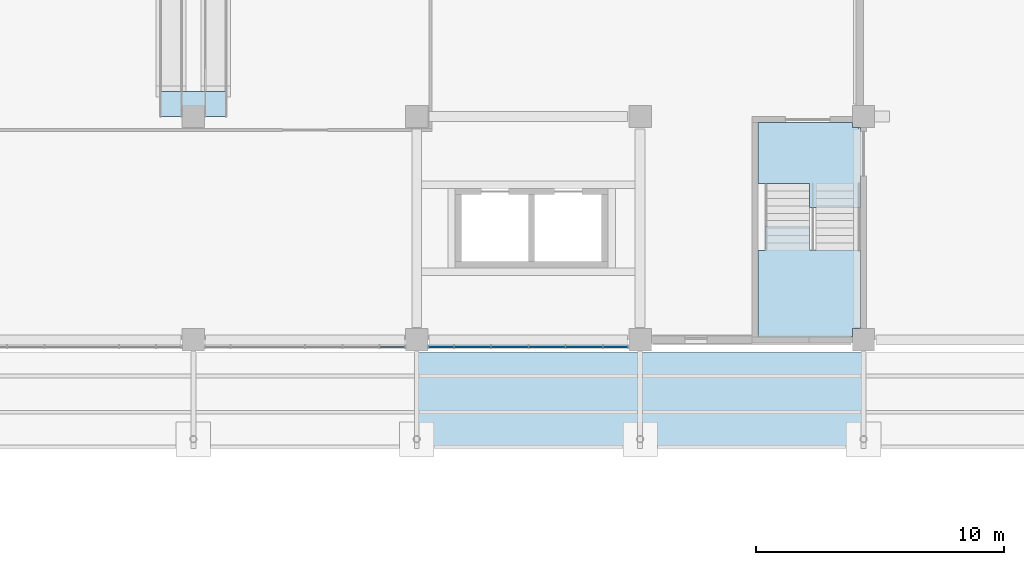
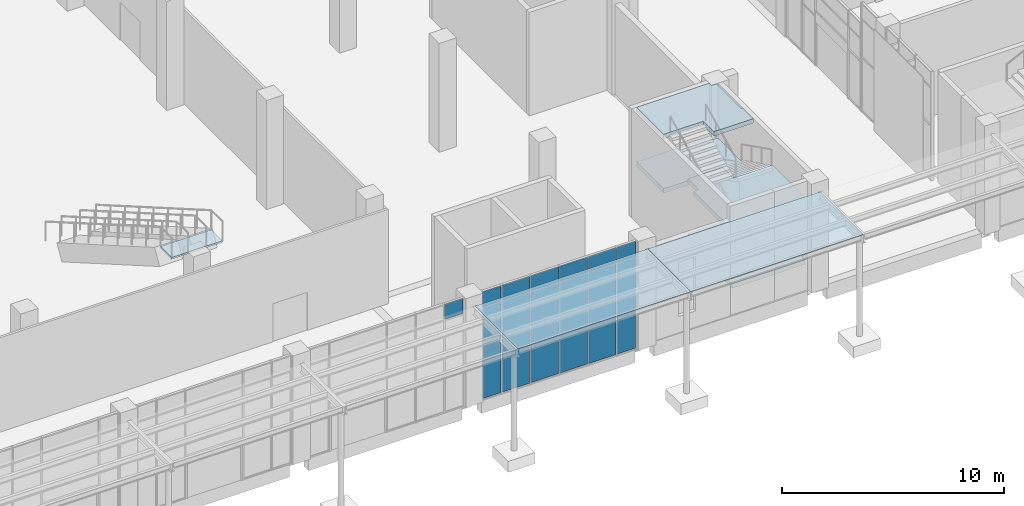
# One storey, part 38 of 86: 22 plates, 4 slabs, 3 elements without a shape of their own.
"""IFC4 building model written with IfcOpenShell, lengths in metres."""

from ifc_helpers import new_model, si_unit, direction, frame, origin, origin_2d, place, context, subcontext, project, spatial, polyline, rectangle, outline, extrude, material, layer, layer_set, type_object, element, aggregate, save


model = new_model("IFC4")

# Units and contexts
model_context = context("Model", 3, precision=1e-05, world=origin(), true_north=direction((0.0, 1.0)))
body_context = subcontext(model_context, "Body", "Model", "MODEL_VIEW")
ifc_project = project(units=[si_unit("LENGTHUNIT", "METRE"), si_unit("AREAUNIT", "SQUARE_METRE"), si_unit("VOLUMEUNIT", "CUBIC_METRE"), si_unit("PLANEANGLEUNIT", "RADIAN"), si_unit("MASSUNIT", "GRAM", prefix="KILO")], contexts=[model_context])

# Site, building, storey
site_placement = place(None, origin())
site = spatial("IfcSite", under=ifc_project, at=site_placement, CompositionType="ELEMENT")
building_placement = place(site_placement, origin())
building = spatial("IfcBuilding", under=site, at=building_placement, Name="Guidao Yard Department Store", CompositionType="ELEMENT")
storey_placement = place(building_placement, origin())
storey = spatial("IfcBuildingStorey", under=building, at=storey_placement, Name="L00", CompositionType="ELEMENT", Elevation=0.0)

# Plates
ifc_material_1 = material(Name="Laminated glass", Category="glass")
ifc_layer_1 = layer(ifc_material_1, 0.021484375)
ifc_layer_set_1 = layer_set([ifc_layer_1], Name="Canopy glass CG1 laminated 10+10")
plate_type_1 = type_object("IfcPlateType", Name="Canopy glass CG1 laminated 10+10", PredefinedType="SHEET", material=ifc_layer_set_1)
for number, where, z_axis, x_axis, name in (
    (1, (49.5, 42.56005859375, 5.449951171875), (0.0, 0.0, 1.0), (1.0, 0.0, 0.0), "Entrance canopy glazing 5.1"),
    (2, (58.5, 42.56005859375, 5.449951171875), (0.0, 0.0, 1.0), (1.0, 0.0, 0.0), "Entrance canopy glazing 6.1"),
):
    element("IfcPlate", number, at=place(storey_placement, frame(where, z_axis=z_axis, x_axis=x_axis)), inside=storey, type_object=plate_type_1, Name=name, PredefinedType="SHEET", context=body_context, shape_type="SweptSolid", body=[
        extrude(rectangle(XDim=8.989990234375, YDim=3.8798828125, at=origin_2d()), origin(), (0.0, 0.0, 1.0), 0.021484375),
    ])
ifc_material_2 = material(Name="Stainless steel 06Cr19Ni10", Category="steel")
ifc_layer_2 = layer(ifc_material_2, 0.10009765625)
ifc_layer_set_2 = layer_set([ifc_layer_2], Name="Escalator landing plate 100")
plate_type_2 = type_object("IfcPlateType", Name="Escalator landing plate 100", PredefinedType="SHEET", material=ifc_layer_set_2)
plate_1_placement = place(storey_placement, frame((36.0, 54.50390625, 5.89990234375), z_axis=(0.0, 0.0, 1.0), x_axis=(1.0, 0.0, 0.0)))
element("IfcPlate", 3, at=plate_1_placement, inside=storey, type_object=plate_type_2, Name="Escalator EH2 upper landing plate", PredefinedType="SHEET", context=body_context, shape_type="SweptSolid", body=[
    extrude(rectangle(XDim=2.639892578125, YDim=1.008056640625, at=origin_2d()), origin(), (0.0, 0.0, 1.0), 0.10009765625),
])

# Curtain wall, plate
ifc_material_3 = material(Name="Aluminium and glass", Category="aluminium")
ifc_layer_3 = layer(ifc_material_3, 0.159912109375)
ifc_layer_set_3 = layer_set([ifc_layer_3], Name="Hall front curtain wall CW2 1500 module")
curtain_wall_type = type_object("IfcCurtainWallType", Name="Hall front curtain wall CW2 1500 module", PredefinedType="NOTDEFINED", material=ifc_layer_set_3)
curtain_wall_1_placement = place(storey_placement, origin())
curtain_wall_1 = element("IfcCurtainWall", 4, at=curtain_wall_1_placement, inside=storey, type_object=curtain_wall_type, Name="Hall front curtain wall", PredefinedType="NOTDEFINED")
ifc_material_4 = material(Name="Aluminium 6063-T5 faced insulated spandrel", Category="aluminium")
ifc_layer_4 = layer(ifc_material_4, 0.06005859375)
ifc_layer_set_4 = layer_set([ifc_layer_4], Name="Spandrel panel SP1 insulated opaque")
plate_type_3 = type_object("IfcPlateType", Name="Spandrel panel SP1 insulated opaque", PredefinedType="CURTAIN_PANEL", material=ifc_layer_set_4)
plate_2_placement = place(storey_placement, frame((44.010009765625, 44.719970703125, 5.1298828125), z_axis=(0.0, 0.0, 1.0), x_axis=(-1.0, 0.0, 0.0)))
plate_2 = element("IfcPlate", 5, at=plate_2_placement, type_object=plate_type_3, Name="CW-HF-L00-04 panel 5.3", PredefinedType="CURTAIN_PANEL", context=body_context, shape_type="SweptSolid", body=[
    extrude(rectangle(XDim=0.9599609375, YDim=0.06005859375, at=origin_2d()), origin(), (0.0, 0.0, 1.0), 0.81005859375),
])
aggregate(curtain_wall_1, [plate_2])

# Curtain wall, plates
curtain_wall_2_placement = place(storey_placement, origin())
curtain_wall_2 = element("IfcCurtainWall", 6, at=curtain_wall_2_placement, inside=storey, type_object=curtain_wall_type, Name="Hall front curtain wall", PredefinedType="NOTDEFINED")
plate_3_placement = place(storey_placement, frame((45.989990234375, 44.719970703125, 5.1298828125), z_axis=(0.0, 0.0, 1.0), x_axis=(-1.0, 0.0, 0.0)))
plate_3 = element("IfcPlate", 7, at=plate_3_placement, type_object=plate_type_3, Name="CW-HF-L00-05 panel 1.3", PredefinedType="CURTAIN_PANEL", context=body_context, shape_type="SweptSolid", body=[
    extrude(rectangle(XDim=0.9599609375, YDim=0.06005859375, at=origin_2d()), origin(), (0.0, 0.0, 1.0), 0.81005859375),
])
plate_4_placement = place(storey_placement, frame((47.25, 44.719970703125, 5.1298828125), z_axis=(0.0, 0.0, 1.0), x_axis=(-1.0, 0.0, 0.0)))
plate_4 = element("IfcPlate", 8, at=plate_4_placement, type_object=plate_type_3, Name="CW-HF-L00-05 panel 2.3", PredefinedType="CURTAIN_PANEL", context=body_context, shape_type="SweptSolid", body=[
    extrude(rectangle(XDim=1.43994140625, YDim=0.06005859375, at=origin_2d()), origin(), (0.0, 0.0, 1.0), 0.81005859375),
])
plate_5_placement = place(storey_placement, frame((48.75, 44.719970703125, 5.1298828125), z_axis=(0.0, 0.0, 1.0), x_axis=(-1.0, 0.0, 0.0)))
plate_5 = element("IfcPlate", 9, at=plate_5_placement, type_object=plate_type_3, Name="CW-HF-L00-05 panel 3.3", PredefinedType="CURTAIN_PANEL", context=body_context, shape_type="SweptSolid", body=[
    extrude(rectangle(XDim=1.43994140625, YDim=0.06005859375, at=origin_2d()), origin(), (0.0, 0.0, 1.0), 0.81005859375),
])
plate_6_placement = place(storey_placement, frame((50.25, 44.719970703125, 5.1298828125), z_axis=(0.0, 0.0, 1.0), x_axis=(-1.0, 0.0, 0.0)))
plate_6 = element("IfcPlate", 10, at=plate_6_placement, type_object=plate_type_3, Name="CW-HF-L00-05 panel 4.3", PredefinedType="CURTAIN_PANEL", context=body_context, shape_type="SweptSolid", body=[
    extrude(rectangle(XDim=1.43994140625, YDim=0.06005859375, at=origin_2d()), origin(), (0.0, 0.0, 1.0), 0.81005859375),
])
plate_7_placement = place(storey_placement, frame((51.75, 44.719970703125, 5.1298828125), z_axis=(0.0, 0.0, 1.0), x_axis=(-1.0, 0.0, 0.0)))
plate_7 = element("IfcPlate", 11, at=plate_7_placement, type_object=plate_type_3, Name="CW-HF-L00-05 panel 5.3", PredefinedType="CURTAIN_PANEL", context=body_context, shape_type="SweptSolid", body=[
    extrude(rectangle(XDim=1.43994140625, YDim=0.06005859375, at=origin_2d()), origin(), (0.0, 0.0, 1.0), 0.81005859375),
])
plate_8_placement = place(storey_placement, frame((53.010009765625, 44.719970703125, 5.1298828125), z_axis=(0.0, 0.0, 1.0), x_axis=(-1.0, 0.0, 0.0)))
plate_8 = element("IfcPlate", 12, at=plate_8_placement, type_object=plate_type_3, Name="CW-HF-L00-05 panel 6.3", PredefinedType="CURTAIN_PANEL", context=body_context, shape_type="SweptSolid", body=[
    extrude(rectangle(XDim=0.9599609375, YDim=0.06005859375, at=origin_2d()), origin(), (0.0, 0.0, 1.0), 0.81005859375),
])

# Stair, slabs
ifc_material_5 = material(Name="Concrete C35", Category="concrete")
stair_type = type_object("IfcStairType", Name="Stair double-return four-flight 1800 wide 6.0 m rise", PredefinedType="DOUBLE_RETURN_STAIR", material=ifc_material_5)
stair_placement = place(storey_placement, origin())
stair = element("IfcStair", 13, at=stair_placement, inside=storey, type_object=stair_type, Name="Stair A2 L00 to L01", PredefinedType="DOUBLE_RETURN_STAIR")
ifc_material_6 = material(Name="Concrete C35", Category="concrete")
ifc_layer_5 = layer(ifc_material_6, 0.25)
ifc_layer_set_5 = layer_set([ifc_layer_5], Name="Stair landing RC 250 C35")
slab_type = type_object("IfcSlabType", Name="Stair landing RC 250 C35", PredefinedType="LANDING", material=ifc_layer_set_5)
slab_1_placement = place(storey_placement, frame((0.0, 0.0, 1.25)))
slab_1 = element("IfcSlab", 14, at=slab_1_placement, type_object=slab_type, Name="SA2-L00 landing 1", PredefinedType="LANDING", context=body_context, shape_type="SweptSolid", body=[
    extrude(outline(polyline([(58.75, 48.60009765625), (59.02490234375, 48.60009765625), (59.02490234375, 49.56005859375), (60.824951171875, 49.56005859375), (60.824951171875, 48.610107421875), (62.875, 48.610107421875), (62.875, 48.60009765625), (62.875, 45.449951171875), (62.550048828125, 45.449951171875), (62.550048828125, 45.125), (58.75, 45.125), (58.75, 48.60009765625)])), origin(), (0.0, 0.0, 1.0), 0.25),
])
slab_2_placement = place(storey_placement, frame((0.0, 0.0, 2.75)))
slab_2 = element("IfcSlab", 15, at=slab_2_placement, type_object=slab_type, Name="SA2-L00 landing 2", PredefinedType="LANDING", context=body_context, shape_type="SweptSolid", body=[
    extrude(outline(polyline([(60.824951171875, 51.2900390625), (59.02490234375, 51.2900390625), (59.02490234375, 51.300048828125), (58.75, 51.300048828125), (58.75, 53.75), (62.550048828125, 53.75), (62.550048828125, 53.550048828125), (62.875, 53.550048828125), (62.875, 51.300048828125), (62.875, 50.340087890625), (60.824951171875, 50.340087890625), (60.824951171875, 51.2900390625)])), origin(), (0.0, 0.0, 1.0), 0.25),
])
slab_3_placement = place(storey_placement, frame((0.0, 0.0, 4.25)))
slab_3 = element("IfcSlab", 16, at=slab_3_placement, type_object=slab_type, Name="SA2-L00 landing 3", PredefinedType="LANDING", context=body_context, shape_type="SweptSolid", body=[
    extrude(outline(polyline([(58.75, 48.60009765625), (59.02490234375, 48.60009765625), (59.02490234375, 49.56005859375), (60.824951171875, 49.56005859375), (60.824951171875, 48.610107421875), (62.875, 48.610107421875), (62.875, 48.60009765625), (62.875, 45.449951171875), (62.550048828125, 45.449951171875), (62.550048828125, 45.125), (58.75, 45.125), (58.75, 48.60009765625)])), origin(), (0.0, 0.0, 1.0), 0.25),
])
slab_4_placement = place(storey_placement, frame((0.0, 0.0, 5.75)))
slab_4 = element("IfcSlab", 17, at=slab_4_placement, type_object=slab_type, Name="SA2-L00 landing 4", PredefinedType="LANDING", context=body_context, shape_type="SweptSolid", body=[
    extrude(outline(polyline([(60.824951171875, 50.340087890625), (60.824951171875, 51.2900390625), (58.75, 51.2900390625), (58.75, 53.75), (60.824951171875, 53.75), (62.550048828125, 53.75), (62.550048828125, 53.550048828125), (62.800048828125, 53.550048828125), (62.800048828125, 51.300048828125), (62.875, 51.300048828125), (62.875, 50.340087890625), (60.824951171875, 50.340087890625)])), origin(), (0.0, 0.0, 1.0), 0.25),
])
aggregate(stair, [slab_1, slab_2, slab_3, slab_4])

# Plate
ifc_material_7 = material(Name="Laminated heat-soaked tempered glass", Category="glass")
ifc_layer_6 = layer(ifc_material_7, 0.017578125)
ifc_layer_set_6 = layer_set([ifc_layer_6], Name="Vision glass VG1 laminated heat-soaked tempered 8+8")
plate_type_4 = type_object("IfcPlateType", Name="Vision glass VG1 laminated heat-soaked tempered 8+8", PredefinedType="CURTAIN_PANEL", material=ifc_layer_set_6)
plate_9_placement = place(storey_placement, frame((45.989990234375, 44.719970703125, 0.06005859375), z_axis=(0.0, 0.0, 1.0), x_axis=(-1.0, 0.0, 0.0)))
plate_9 = element("IfcPlate", 18, at=plate_9_placement, type_object=plate_type_4, Name="CW-HF-L00-05 panel 1.1", PredefinedType="CURTAIN_PANEL", context=body_context, shape_type="SweptSolid", body=[
    extrude(rectangle(XDim=0.9599609375, YDim=0.017578125, at=origin_2d()), origin(), (0.0, 0.0, 1.0), 2.909912109375),
])

plate_10_placement = place(storey_placement, frame((45.989990234375, 44.719970703125, 3.030029296875), z_axis=(0.0, 0.0, 1.0), x_axis=(-1.0, 0.0, 0.0)))
plate_10 = element("IfcPlate", 19, at=plate_10_placement, type_object=plate_type_4, Name="CW-HF-L00-05 panel 1.2", PredefinedType="CURTAIN_PANEL", context=body_context, shape_type="SweptSolid", body=[
    extrude(rectangle(XDim=0.9599609375, YDim=0.017578125, at=origin_2d()), origin(), (0.0, 0.0, 1.0), 2.0400390625),
])

plate_11_placement = place(storey_placement, frame((47.25, 44.719970703125, 0.06005859375), z_axis=(0.0, 0.0, 1.0), x_axis=(-1.0, 0.0, 0.0)))
plate_11 = element("IfcPlate", 20, at=plate_11_placement, type_object=plate_type_4, Name="CW-HF-L00-05 panel 2.1", PredefinedType="CURTAIN_PANEL", context=body_context, shape_type="SweptSolid", body=[
    extrude(rectangle(XDim=1.43994140625, YDim=0.017578125, at=origin_2d()), origin(), (0.0, 0.0, 1.0), 2.909912109375),
])

plate_12_placement = place(storey_placement, frame((47.25, 44.719970703125, 3.030029296875), z_axis=(0.0, 0.0, 1.0), x_axis=(-1.0, 0.0, 0.0)))
plate_12 = element("IfcPlate", 21, at=plate_12_placement, type_object=plate_type_4, Name="CW-HF-L00-05 panel 2.2", PredefinedType="CURTAIN_PANEL", context=body_context, shape_type="SweptSolid", body=[
    extrude(rectangle(XDim=1.43994140625, YDim=0.017578125, at=origin_2d()), origin(), (0.0, 0.0, 1.0), 2.0400390625),
])

plate_13_placement = place(storey_placement, frame((48.75, 44.719970703125, 0.06005859375), z_axis=(0.0, 0.0, 1.0), x_axis=(-1.0, 0.0, 0.0)))
plate_13 = element("IfcPlate", 22, at=plate_13_placement, type_object=plate_type_4, Name="CW-HF-L00-05 panel 3.1", PredefinedType="CURTAIN_PANEL", context=body_context, shape_type="SweptSolid", body=[
    extrude(rectangle(XDim=1.43994140625, YDim=0.017578125, at=origin_2d()), origin(), (0.0, 0.0, 1.0), 2.909912109375),
])

plate_14_placement = place(storey_placement, frame((48.75, 44.719970703125, 3.030029296875), z_axis=(0.0, 0.0, 1.0), x_axis=(-1.0, 0.0, 0.0)))
plate_14 = element("IfcPlate", 23, at=plate_14_placement, type_object=plate_type_4, Name="CW-HF-L00-05 panel 3.2", PredefinedType="CURTAIN_PANEL", context=body_context, shape_type="SweptSolid", body=[
    extrude(rectangle(XDim=1.43994140625, YDim=0.017578125, at=origin_2d()), origin(), (0.0, 0.0, 1.0), 2.0400390625),
])

plate_15_placement = place(storey_placement, frame((50.25, 44.719970703125, 0.06005859375), z_axis=(0.0, 0.0, 1.0), x_axis=(-1.0, 0.0, 0.0)))
plate_15 = element("IfcPlate", 24, at=plate_15_placement, type_object=plate_type_4, Name="CW-HF-L00-05 panel 4.1", PredefinedType="CURTAIN_PANEL", context=body_context, shape_type="SweptSolid", body=[
    extrude(rectangle(XDim=1.43994140625, YDim=0.017578125, at=origin_2d()), origin(), (0.0, 0.0, 1.0), 2.909912109375),
])

plate_16_placement = place(storey_placement, frame((50.25, 44.719970703125, 3.030029296875), z_axis=(0.0, 0.0, 1.0), x_axis=(-1.0, 0.0, 0.0)))
plate_16 = element("IfcPlate", 25, at=plate_16_placement, type_object=plate_type_4, Name="CW-HF-L00-05 panel 4.2", PredefinedType="CURTAIN_PANEL", context=body_context, shape_type="SweptSolid", body=[
    extrude(rectangle(XDim=1.43994140625, YDim=0.017578125, at=origin_2d()), origin(), (0.0, 0.0, 1.0), 2.0400390625),
])

plate_17_placement = place(storey_placement, frame((51.75, 44.719970703125, 0.06005859375), z_axis=(0.0, 0.0, 1.0), x_axis=(-1.0, 0.0, 0.0)))
plate_17 = element("IfcPlate", 26, at=plate_17_placement, type_object=plate_type_4, Name="CW-HF-L00-05 panel 5.1", PredefinedType="CURTAIN_PANEL", context=body_context, shape_type="SweptSolid", body=[
    extrude(rectangle(XDim=1.43994140625, YDim=0.017578125, at=origin_2d()), origin(), (0.0, 0.0, 1.0), 2.909912109375),
])

plate_18_placement = place(storey_placement, frame((51.75, 44.719970703125, 3.030029296875), z_axis=(0.0, 0.0, 1.0), x_axis=(-1.0, 0.0, 0.0)))
plate_18 = element("IfcPlate", 27, at=plate_18_placement, type_object=plate_type_4, Name="CW-HF-L00-05 panel 5.2", PredefinedType="CURTAIN_PANEL", context=body_context, shape_type="SweptSolid", body=[
    extrude(rectangle(XDim=1.43994140625, YDim=0.017578125, at=origin_2d()), origin(), (0.0, 0.0, 1.0), 2.0400390625),
])

plate_19_placement = place(storey_placement, frame((53.010009765625, 44.719970703125, 0.06005859375), z_axis=(0.0, 0.0, 1.0), x_axis=(-1.0, 0.0, 0.0)))
plate_19 = element("IfcPlate", 28, at=plate_19_placement, type_object=plate_type_4, Name="CW-HF-L00-05 panel 6.1", PredefinedType="CURTAIN_PANEL", context=body_context, shape_type="SweptSolid", body=[
    extrude(rectangle(XDim=0.9599609375, YDim=0.017578125, at=origin_2d()), origin(), (0.0, 0.0, 1.0), 2.909912109375),
])

plate_20_placement = place(storey_placement, frame((53.010009765625, 44.719970703125, 3.030029296875), z_axis=(0.0, 0.0, 1.0), x_axis=(-1.0, 0.0, 0.0)))
plate_20 = element("IfcPlate", 29, at=plate_20_placement, type_object=plate_type_4, Name="CW-HF-L00-05 panel 6.2", PredefinedType="CURTAIN_PANEL", context=body_context, shape_type="SweptSolid", body=[
    extrude(rectangle(XDim=0.9599609375, YDim=0.017578125, at=origin_2d()), origin(), (0.0, 0.0, 1.0), 2.0400390625),
])

aggregate(curtain_wall_2, [plate_9, plate_10, plate_3, plate_11, plate_12, plate_4, plate_13, plate_14, plate_5, plate_15, plate_16, plate_6, plate_17, plate_18, plate_7, plate_19, plate_20, plate_8])

save(model, "model.ifc")
